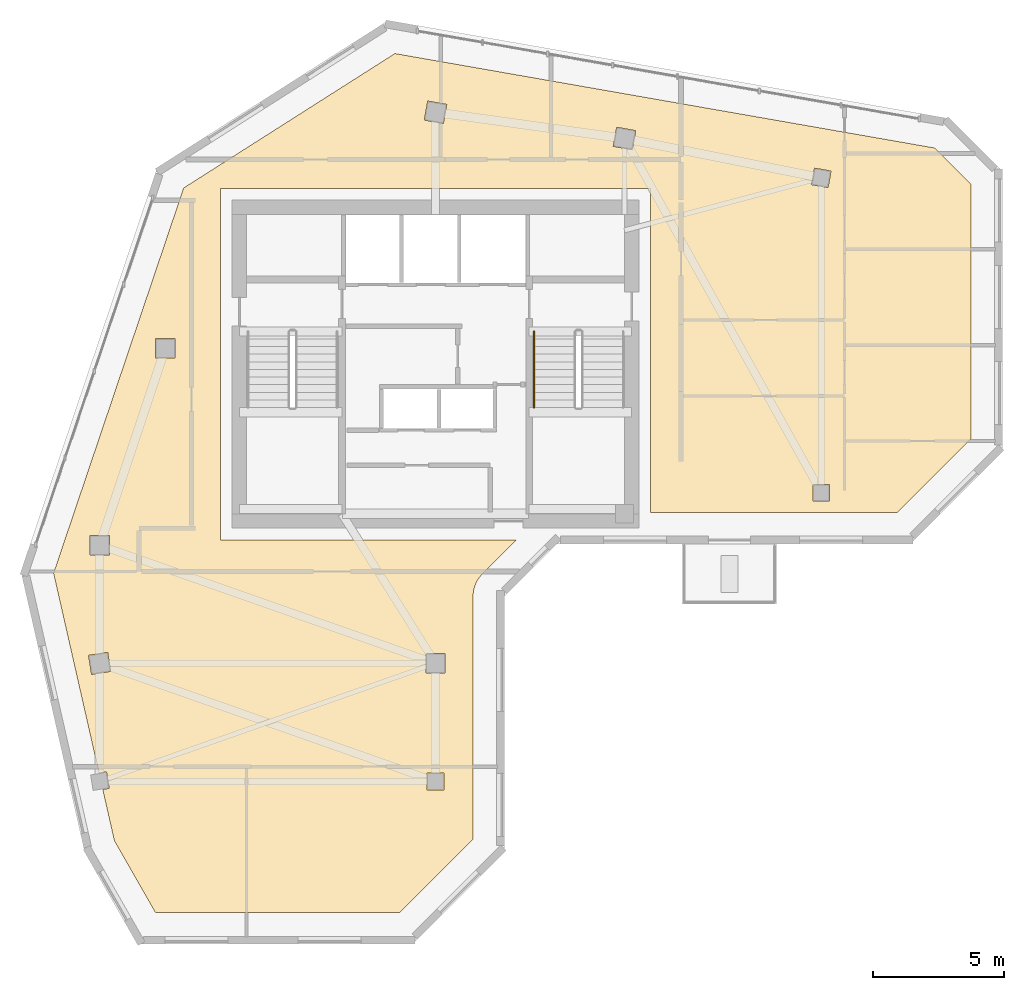
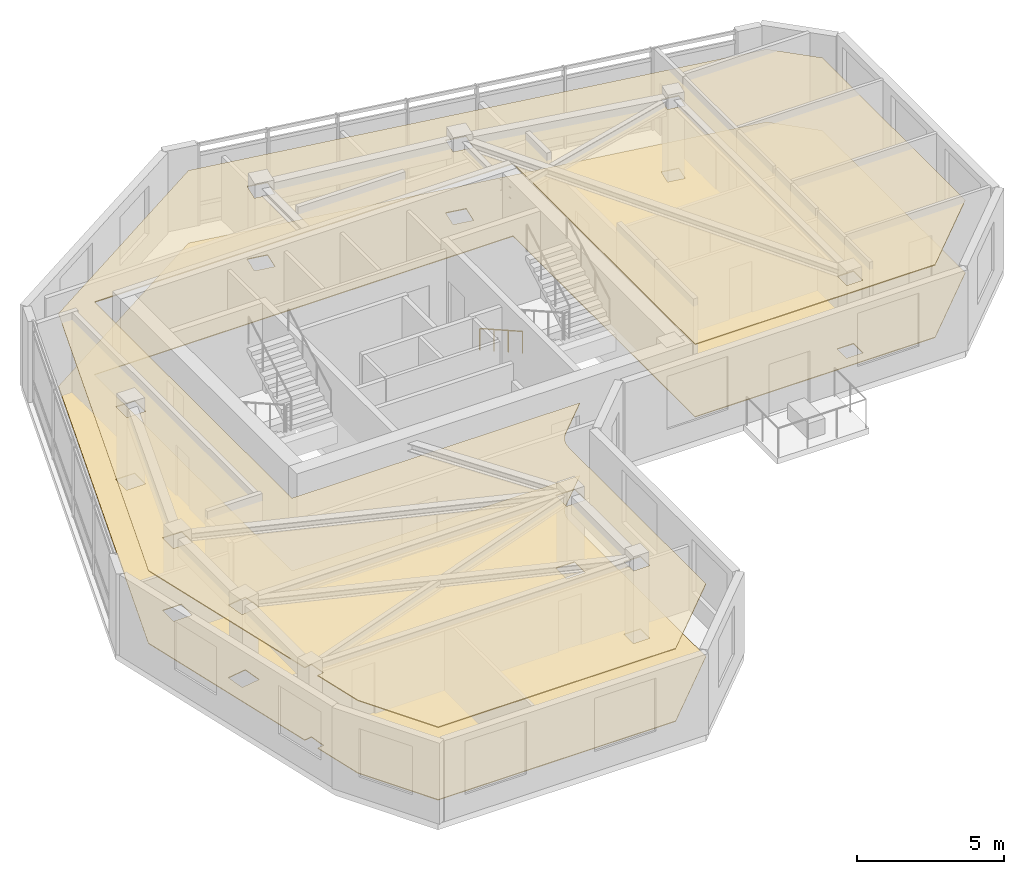
# One storey, part 8 of 9: 2 coverings, 1 railing.
"""IFC4 building model written with IfcOpenShell, lengths in metres."""

from ifc_helpers import new_model, si_unit, direction, frame, origin, origin_2d, place, context, subcontext, project, spatial, polyline, circle, outline, extrude, material, layer, layer_set, type_object, element, save


model = new_model("IFC4")

# Units and contexts
model_context = context("Model", 3, precision=1e-05, world=origin(), true_north=direction((0.0, 1.0)))
body_context = subcontext(model_context, "Body", "Model", "MODEL_VIEW")
ifc_project = project(units=[si_unit("LENGTHUNIT", "METRE"), si_unit("AREAUNIT", "SQUARE_METRE"), si_unit("VOLUMEUNIT", "CUBIC_METRE"), si_unit("PLANEANGLEUNIT", "RADIAN"), si_unit("MASSUNIT", "GRAM", prefix="KILO")], contexts=[model_context])

# Site, building, storey
site_placement = place(None, origin())
site = spatial("IfcSite", under=ifc_project, at=site_placement, CompositionType="ELEMENT")
building_placement = place(site_placement, origin())
building = spatial("IfcBuilding", under=site, at=building_placement, Name="Calvemar Wedge Station Tower", CompositionType="ELEMENT")
storey_placement = place(building_placement, frame((0.0, 0.0, 274.5)))
storey = spatial("IfcBuildingStorey", under=building, at=storey_placement, Name="L70", CompositionType="ELEMENT", Elevation=274.5)

# Coverings
ifc_material_1 = material(Name="Moisture-resistant gypsum ceiling")
ifc_layer_1 = layer(ifc_material_1, 0.0400390625)
ifc_layer_set_1 = layer_set([ifc_layer_1], Name="Moisture-resistant gypsum ceiling")
covering_type_1 = type_object("IfcCoveringType", Name="COV-CEIL-GYPSUM", PredefinedType="CEILING", material=ifc_layer_set_1)
covering_1_placement = place(storey_placement, frame((0.0, 0.0, 3.0)))
element("IfcCovering", 1, at=covering_1_placement, inside=storey, type_object=covering_type_1, Name="Storey L70 Acoustic Suspended Ceiling", PredefinedType="CEILING", context=body_context, shape_type="SweptSolid", body=[
    extrude(outline(polyline([(15.60009765625, 33.199951171875), (15.60009765625, 46.60009765625), (32.0, 46.60009765625), (32.0, 34.256103515625), (41.40283203125, 34.256103515625), (44.199951171875, 37.052978515625), (44.199951171875, 46.7587890625), (42.819580078125, 48.139404296875), (22.251708984375, 51.73779296875), (14.201416015625, 46.614990234375), (9.2451171875, 31.936279296875), (10.97607421875, 24.3203125), (11.265380859375, 24.36669921875), (11.36669921875, 23.734619140625), (11.118408203125, 23.69482421875), (11.5625, 21.740234375), (13.12841796875, 19.0), (22.434814453125, 19.0), (25.23193359375, 21.797119140625), (25.23193359375, 31.055908203125), (25.23779296875, 31.173583984375), (25.255126953125, 31.2900390625), (25.28369140625, 31.404296875), (25.3232421875, 31.51513671875), (25.373779296875, 31.62158203125), (25.43408203125, 31.72265625), (25.50439453125, 31.8173828125), (25.58349609375, 31.904541015625), (26.87890625, 33.199951171875), (15.60009765625, 33.199951171875)]), holes=[polyline([(11.3701171875, 33.3701171875), (11.3701171875, 32.6298828125), (10.6298828125, 32.6298828125), (10.6298828125, 33.3701171875), (11.3701171875, 33.3701171875)]), polyline([(13.8701171875, 40.1298828125), (13.1298828125, 40.1298828125), (13.1298828125, 40.8701171875), (13.8701171875, 40.8701171875), (13.8701171875, 40.1298828125)]), polyline([(23.370361328125, 49.201416015625), (23.50146484375, 49.9296875), (24.229736328125, 49.798583984375), (24.0986328125, 49.0703125), (23.370361328125, 49.201416015625)]), polyline([(30.701416015625, 48.9296875), (31.4296875, 48.798583984375), (31.298583984375, 48.0703125), (30.5703125, 48.201416015625), (30.701416015625, 48.9296875)]), polyline([(38.87158203125, 47.25830078125), (38.75830078125, 46.62841796875), (38.12841796875, 46.74169921875), (38.24169921875, 47.37158203125), (38.87158203125, 47.25830078125)]), polyline([(38.820068359375, 34.679931640625), (38.179931640625, 34.679931640625), (38.179931640625, 35.320068359375), (38.820068359375, 35.320068359375), (38.820068359375, 34.679931640625)]), polyline([(10.576171875, 28.806884765625), (11.306884765625, 28.923828125), (11.423828125, 28.193115234375), (10.693115234375, 28.076171875), (10.576171875, 28.806884765625)]), polyline([(24.169921875, 28.8701171875), (24.169921875, 28.1298828125), (23.429931640625, 28.1298828125), (23.429931640625, 28.8701171875), (24.169921875, 28.8701171875)]), polyline([(24.1201171875, 23.679931640625), (23.47998046875, 23.679931640625), (23.47998046875, 24.320068359375), (24.1201171875, 24.320068359375), (24.1201171875, 23.679931640625)])]), origin(), (0.0, 0.0, 1.0), 0.0400390625),
])
ifc_material_2 = material(Name="Honed coastal granite stone tile", Category="masonry")
ifc_layer_2 = layer(ifc_material_2, 0.030029296875)
ifc_layer_set_2 = layer_set([ifc_layer_2], Name="Honed coastal granite stone tile")
covering_type_2 = type_object("IfcCoveringType", Name="COV-FLR-STONE", PredefinedType="FLOORING", material=ifc_layer_set_2)
covering_2_placement = place(storey_placement, origin())
element("IfcCovering", 2, at=covering_2_placement, inside=storey, type_object=covering_type_2, Name="Storey L70 Architectural Floor Finish", PredefinedType="FLOORING", context=body_context, shape_type="SweptSolid", body=[
    extrude(outline(polyline([(15.60009765625, 33.199951171875), (15.60009765625, 46.60009765625), (32.0, 46.60009765625), (32.0, 34.256103515625), (41.40283203125, 34.256103515625), (44.199951171875, 37.052978515625), (44.199951171875, 46.7587890625), (42.819580078125, 48.139404296875), (22.251708984375, 51.73779296875), (14.201416015625, 46.614990234375), (9.2451171875, 31.936279296875), (10.97607421875, 24.3203125), (11.265380859375, 24.36669921875), (11.36669921875, 23.734619140625), (11.118408203125, 23.69482421875), (11.5625, 21.740234375), (13.12841796875, 19.0), (22.434814453125, 19.0), (25.23193359375, 21.797119140625), (25.23193359375, 31.055908203125), (25.23779296875, 31.173583984375), (25.255126953125, 31.2900390625), (25.28369140625, 31.404296875), (25.3232421875, 31.51513671875), (25.373779296875, 31.62158203125), (25.43408203125, 31.72265625), (25.50439453125, 31.8173828125), (25.58349609375, 31.904541015625), (26.87890625, 33.199951171875), (15.60009765625, 33.199951171875)]), holes=[polyline([(11.3701171875, 33.3701171875), (11.3701171875, 32.6298828125), (10.6298828125, 32.6298828125), (10.6298828125, 33.3701171875), (11.3701171875, 33.3701171875)]), polyline([(13.8701171875, 40.1298828125), (13.1298828125, 40.1298828125), (13.1298828125, 40.8701171875), (13.8701171875, 40.8701171875), (13.8701171875, 40.1298828125)]), polyline([(23.370361328125, 49.201416015625), (23.50146484375, 49.9296875), (24.229736328125, 49.798583984375), (24.0986328125, 49.0703125), (23.370361328125, 49.201416015625)]), polyline([(30.701416015625, 48.9296875), (31.4296875, 48.798583984375), (31.298583984375, 48.0703125), (30.5703125, 48.201416015625), (30.701416015625, 48.9296875)]), polyline([(38.87158203125, 47.25830078125), (38.75830078125, 46.62841796875), (38.12841796875, 46.74169921875), (38.24169921875, 47.37158203125), (38.87158203125, 47.25830078125)]), polyline([(38.820068359375, 34.679931640625), (38.179931640625, 34.679931640625), (38.179931640625, 35.320068359375), (38.820068359375, 35.320068359375), (38.820068359375, 34.679931640625)]), polyline([(10.576171875, 28.806884765625), (11.306884765625, 28.923828125), (11.423828125, 28.193115234375), (10.693115234375, 28.076171875), (10.576171875, 28.806884765625)]), polyline([(24.169921875, 28.8701171875), (24.169921875, 28.1298828125), (23.429931640625, 28.1298828125), (23.429931640625, 28.8701171875), (24.169921875, 28.8701171875)]), polyline([(24.1201171875, 23.679931640625), (23.47998046875, 23.679931640625), (23.47998046875, 24.320068359375), (24.1201171875, 24.320068359375), (24.1201171875, 23.679931640625)])]), origin(), (0.0, 0.0, 1.0), 0.030029296875),
])

# Railing
ifc_material_3 = material(Name="Stainless steel AISI 316L", Category="steel")
railing_type = type_object("IfcRailingType", Name="RL-HANDRAIL-920", PredefinedType="HANDRAIL", material=ifc_material_3)
railing_placement = place(storey_placement, frame((27.550048828125, 41.14990234375, 0.16357421875)))
element("IfcRailing", 3, at=railing_placement, inside=storey, type_object=railing_type, Name="L70 ST-C2 stair handrail 1", PredefinedType="HANDRAIL", context=body_context, shape_type="SweptSolid", body=[
    extrude(circle(Radius=0.02392578125, at=origin_2d()), frame((0.0, 0.0, 0.89599609375), z_axis=(0.0, -0.870897200241, 0.491465224214), x_axis=(1.0, 0.0, 0.0)), (0.0, 0.0, 1.0), 3.329833984375),
    extrude(circle(Radius=0.02099609375, at=origin_2d()), origin(), (0.0, 0.0, 1.0), 0.871826171875),
    extrude(circle(Radius=0.02099609375, at=origin_2d()), frame((0.0, -0.966552734375, 0.54541015625)), (0.0, 0.0, 1.0), 0.871826171875),
    extrude(circle(Radius=0.02099609375, at=origin_2d()), frame((0.0, -1.933349609375, 1.091064453125)), (0.0, 0.0, 1.0), 0.871826171875),
    extrude(circle(Radius=0.02099609375, at=origin_2d()), frame((0.0, -2.89990234375, 1.636474609375)), (0.0, 0.0, 1.0), 0.871826171875),
])

save(model, "model.ifc")
